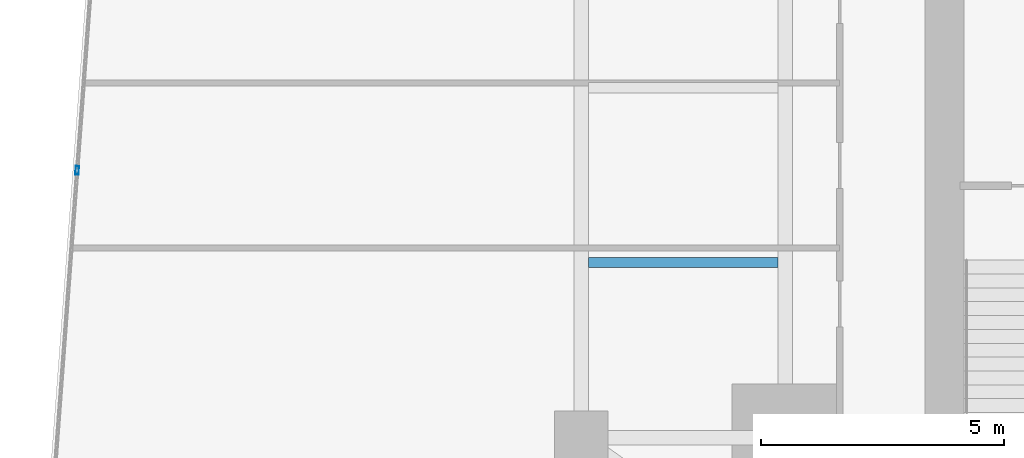
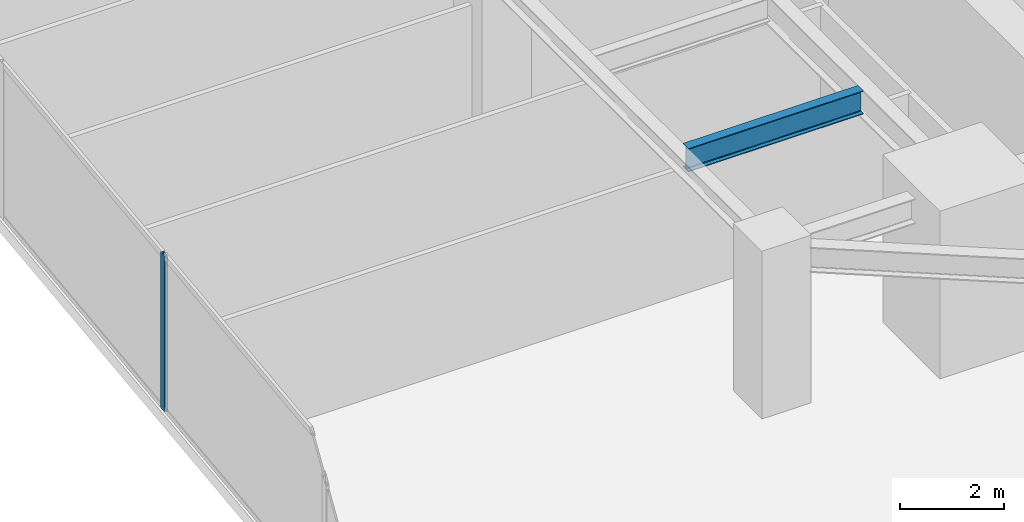
# One storey, part 8 of 30: 1 beam, 1 member, 1 element without a shape of its own.
"""IFC4 building model written with IfcOpenShell, lengths in metres."""

from ifc_helpers import new_model, si_unit, direction, frame, origin, origin_2d, place, context, subcontext, project, spatial, hollow_rectangle, i_section, extrude, source, transform, mapped, material, material_profile, profile_set, type_object, type_shapes, element, aggregate, save


model = new_model("IFC4")

# Units and contexts
model_context = context("Model", 3, precision=1e-05, world=origin(), true_north=direction((0.0, 1.0)))
body_context = subcontext(model_context, "Body", "Model", "MODEL_VIEW")
ifc_project = project(units=[si_unit("LENGTHUNIT", "METRE"), si_unit("AREAUNIT", "SQUARE_METRE"), si_unit("VOLUMEUNIT", "CUBIC_METRE"), si_unit("PLANEANGLEUNIT", "RADIAN"), si_unit("MASSUNIT", "GRAM", prefix="KILO")], contexts=[model_context])

# Site, building, storey
site_placement = place(None, origin())
site = spatial("IfcSite", under=ifc_project, at=site_placement, CompositionType="ELEMENT")
building_placement = place(site_placement, origin())
building = spatial("IfcBuilding", under=site, at=building_placement, Name="Krantzveldt Concourse Tower", CompositionType="ELEMENT")
storey_placement = place(building_placement, frame((0.0, 0.0, 48.699951171875)))
storey = spatial("IfcBuildingStorey", under=building, at=storey_placement, Name="L11", CompositionType="ELEMENT", Elevation=48.699951171875)

# Beam
ifc_material_1 = material(Name="Steel S355JR", Category="steel")
ifc_material_profile_1 = material_profile(ifc_material_1, i_section(OverallWidth=0.2099609375, OverallDepth=0.550048828125, WebThickness=0.010986328125, FlangeThickness=0.01708984375, FilletRadius=0.02392578125, at=origin_2d()), Name="Steel S355JR", Category="steel")
ifc_profile_set_1 = profile_set([ifc_material_profile_1], Name="Steel S355JR - IPE 550")
beam_type = type_object("IfcBeamType", Name="BM-J-IPE550", PredefinedType="JOIST", material=ifc_profile_set_1)
shared_shape_1 = source(origin(), body_context, "Body", "SweptSolid", [
    extrude(i_section(OverallWidth=0.2099609375, OverallDepth=0.550048828125, WebThickness=0.010986328125, FlangeThickness=0.01708984375, FilletRadius=0.02392578125, at=origin_2d()), origin(), (0.0, 0.0, 1.0), 3.900146484375),
])
type_shapes(beam_type, [shared_shape_1])
beam_placement = place(storey_placement, frame((21.14990234375, 19.5, 3.39501953125), z_axis=(1.0, 0.0, 0.0), x_axis=(0.0, 1.0, 0.0)))
element("IfcBeam", 1, at=beam_placement, inside=storey, type_object=beam_type, Name="L11 Secondary Floor Joist JW-1", PredefinedType="JOIST", context=body_context, shape_type="MappedRepresentation", body=[
    mapped(shared_shape_1, transform((0.0, 0.0, 0.0), x_axis=(1.0, 0.0, 0.0), y_axis=(0.0, 1.0, 0.0), z_axis=(0.0, 0.0, 1.0), scale=1.0)),
])

# Curtain wall, member
ifc_material_2 = material(Name="Anodised aluminium 6063-T6", Category="aluminium")
curtain_wall_type = type_object("IfcCurtainWallType", Name="CW2", PredefinedType="USERDEFINED", material=ifc_material_2)
curtain_wall_placement = place(storey_placement, origin())
curtain_wall = element("IfcCurtainWall", 2, at=curtain_wall_placement, inside=storey, type_object=curtain_wall_type, Name="CW-L11-F01", ObjectType="UNITISED CURTAIN WALL", PredefinedType="USERDEFINED")
ifc_material_profile_2 = material_profile(ifc_material_2, hollow_rectangle(XDim=0.070068359375, YDim=0.179931640625, WallThickness=0.0048828125, at=origin_2d()), Name="Anodised aluminium 6063-T6", Category="aluminium")
ifc_profile_set_2 = profile_set([ifc_material_profile_2], Name="Anodised aluminium 6063-T6 - ALU-MULL 180x70x5")
member_type = type_object("IfcMemberType", Name="CW-MUL-180", PredefinedType="MULLION", material=ifc_profile_set_2)
shared_shape_2 = source(origin(), body_context, "Body", "SweptSolid", [
    extrude(hollow_rectangle(XDim=0.070068359375, YDim=0.179931640625, WallThickness=0.0048828125, at=origin_2d()), origin(), (0.0, 0.0, 1.0), 3.670166015625),
])
type_shapes(member_type, [shared_shape_2])
member_placement = place(storey_placement, frame((10.62744140625, 21.399169921875, 0.0), z_axis=(0.0, 0.0, 1.0), x_axis=(0.997250176902, -0.07410860051, 0.0)))
member = element("IfcMember", 3, at=member_placement, type_object=member_type, Name="CW-Z12 mullion 5", PredefinedType="MULLION", context=body_context, shape_type="MappedRepresentation", body=[
    mapped(shared_shape_2, transform((0.0, 0.0, 0.0), x_axis=(1.0, 0.0, 0.0), y_axis=(0.0, 1.0, 0.0), z_axis=(0.0, 0.0, 1.0), scale=1.0)),
])
aggregate(curtain_wall, [member])

save(model, "model.ifc")
